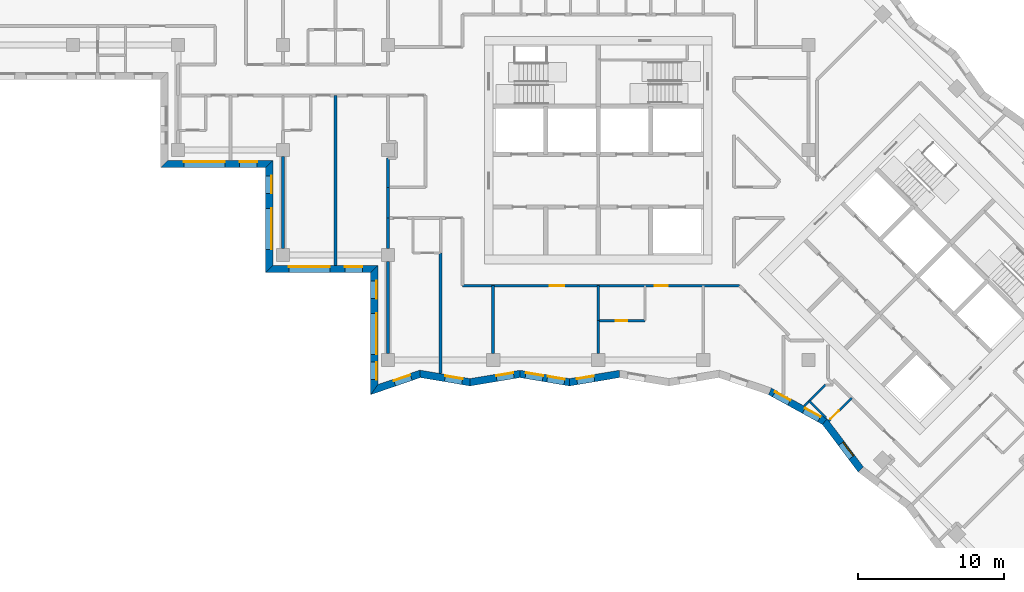
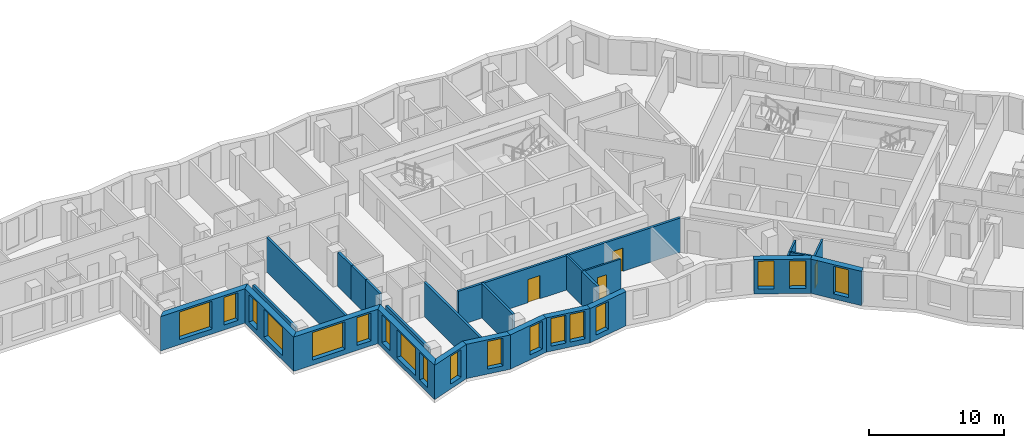
# One storey, part 2 of 12: 26 walls, 18 windows, 4 doors, 22 openings.
"""IFC4 building model written with IfcOpenShell, lengths in metres."""

from ifc_helpers import new_model, si_unit, direction, frame, frame_2d, origin, place, context, subcontext, project, spatial, polyline, rectangle, outline, extrude, material, layer, layer_set, type_object, element, fill, save


model = new_model("IFC4")

# Units and contexts
model_context = context("Model", 3, precision=1e-05, world=origin(), true_north=direction((0.0, 1.0)))
body_context = subcontext(model_context, "Body", "Model", "MODEL_VIEW")
ifc_project = project(units=[si_unit("LENGTHUNIT", "METRE"), si_unit("AREAUNIT", "SQUARE_METRE"), si_unit("VOLUMEUNIT", "CUBIC_METRE"), si_unit("PLANEANGLEUNIT", "RADIAN"), si_unit("MASSUNIT", "GRAM", prefix="KILO")], contexts=[model_context])

# Site, building, storey
site_placement = place(None, origin())
site = spatial("IfcSite", under=ifc_project, at=site_placement, CompositionType="ELEMENT")
building_placement = place(site_placement, origin())
building = spatial("IfcBuilding", under=site, at=building_placement, Name="Windrow Commons", CompositionType="ELEMENT")
storey_placement = place(building_placement, frame((0.0, 0.0, 166.0)))
storey = spatial("IfcBuildingStorey", under=building, at=storey_placement, Name="L45", CompositionType="ELEMENT", Elevation=166.0)

# Wall, openings, windows
ifc_material_1 = material(Name="Brick masonry, red clay brick", Category="masonry")
ifc_layer_1 = layer(ifc_material_1, 0.5)
ifc_layer_set_1 = layer_set([ifc_layer_1], Name="Brick facade wall 500")
wall_type_1 = type_object("IfcWallType", Name="Brick facade wall 500", PredefinedType="SOLIDWALL", material=ifc_layer_set_1)
wall_1_placement = place(storey_placement, frame((35.05, 56.65, 0.0), z_axis=(0.0, 0.0, 1.0), x_axis=(1.0, 0.0, 0.0)))
wall_1 = element("IfcWall", 1, at=wall_1_placement, inside=storey, type_object=wall_type_1, Name="Brick facade wall L45 38", PredefinedType="SOLIDWALL", context=body_context, shape_type="SweptSolid", body=[
    extrude(outline(polyline([(-0.25, -0.25), (6.95, -0.25), (7.45, 0.25), (0.25, 0.25), (-0.25, -0.25)])), origin(), (0.0, 0.0, 1.0), 3.1),
])
opening_1_placement = place(wall_1_placement, frame((1.35, 0.0, 0.45)))
opening_1 = element("IfcOpeningElement", 2, at=opening_1_placement, cuts=wall_1, Name="Opening W1U", PredefinedType="OPENING", context=body_context, shape_type="SweptSolid", body=[
    extrude(rectangle(XDim=2.8, YDim=2.5, at=frame_2d((1.4, 1.25))), frame((0.0, 0.26, 0.0), z_axis=(0.0, -1.0, 0.0), x_axis=(1.0, 0.0, 0.0)), (0.0, 0.0, 1.0), 0.52),
])
opening_2_placement = place(wall_1_placement, frame((5.175, 0.0, 0.45)))
opening_2 = element("IfcOpeningElement", 3, at=opening_2_placement, cuts=wall_1, Name="Opening W7E", PredefinedType="OPENING", context=body_context, shape_type="SweptSolid", body=[
    extrude(rectangle(XDim=1.2, YDim=2.5, at=frame_2d((0.6, 1.25))), frame((0.0, 0.26, 0.0), z_axis=(0.0, -1.0, 0.0), x_axis=(1.0, 0.0, 0.0)), (0.0, 0.0, 1.0), 0.52),
])
ifc_material_2 = material(Name="Clear float glass in anodised aluminium frame", Category="aluminium")
window_type_1 = type_object("IfcWindowType", Name="Window W1U bedroom 2800x2500", PartitioningType="SINGLE_PANEL", PredefinedType="WINDOW", material=ifc_material_2)
window_1_placement = place(opening_1_placement, origin())
window_1 = element("IfcWindow", 4, at=window_1_placement, inside=storey, type_object=window_type_1, Name="Window L45 38.1", OverallHeight=2.5, OverallWidth=2.8, PartitioningType="SINGLE_PANEL", PredefinedType="WINDOW", context=body_context, shape_type="SweptSolid", body=[
    extrude(rectangle(XDim=2.8, YDim=2.5, at=frame_2d((1.4, 1.25))), frame((0.0, 0.18, 0.0), z_axis=(0.0, -1.0, 0.0), x_axis=(1.0, 0.0, 0.0)), (0.0, 0.0, 1.0), 0.06),
])
fill(opening_1, window_1)
ifc_material_3 = material(Name="Clear float glass in anodised aluminium frame", Category="aluminium")
window_type_2 = type_object("IfcWindowType", Name="Window W7 notch 1200x2500", PartitioningType="SINGLE_PANEL", PredefinedType="WINDOW", material=ifc_material_3)
window_2_placement = place(opening_2_placement, origin())
window_2 = element("IfcWindow", 5, at=window_2_placement, inside=storey, type_object=window_type_2, Name="Window L45 38.2", OverallHeight=2.5, OverallWidth=1.2, PartitioningType="SINGLE_PANEL", PredefinedType="WINDOW", context=body_context, shape_type="SweptSolid", body=[
    extrude(rectangle(XDim=1.2, YDim=2.5, at=frame_2d((0.6, 1.25))), frame((0.0, 0.18, 0.0), z_axis=(0.0, -1.0, 0.0), x_axis=(1.0, 0.0, 0.0)), (0.0, 0.0, 1.0), 0.06),
])
fill(opening_2, window_2)

wall_2_placement = place(storey_placement, frame((42.25, 56.65, 0.0), z_axis=(0.0, 0.0, 1.0), x_axis=(0.0, -1.0, 0.0)))
wall_2 = element("IfcWall", 6, at=wall_2_placement, inside=storey, type_object=wall_type_1, Name="Brick facade wall L45 39", PredefinedType="SOLIDWALL", context=body_context, shape_type="SweptSolid", body=[
    extrude(outline(polyline([(0.25, -0.25), (7.45, -0.25), (6.95, 0.25), (-0.25, 0.25), (0.25, -0.25)])), origin(), (0.0, 0.0, 1.0), 3.1),
])
opening_3_placement = place(wall_2_placement, frame((3.05, 0.0, 0.45)))
opening_3 = element("IfcOpeningElement", 7, at=opening_3_placement, cuts=wall_2, Name="Opening W1U", PredefinedType="OPENING", context=body_context, shape_type="SweptSolid", body=[
    extrude(rectangle(XDim=2.8, YDim=2.5, at=frame_2d((1.4, 1.25))), frame((0.0, 0.26, 0.0), z_axis=(0.0, -1.0, 0.0), x_axis=(1.0, 0.0, 0.0)), (0.0, 0.0, 1.0), 0.52),
])
opening_4_placement = place(wall_2_placement, frame((0.825, 0.0, 0.45)))
opening_4 = element("IfcOpeningElement", 8, at=opening_4_placement, cuts=wall_2, Name="Opening W7E", PredefinedType="OPENING", context=body_context, shape_type="SweptSolid", body=[
    extrude(rectangle(XDim=1.2, YDim=2.5, at=frame_2d((0.6, 1.25))), frame((0.0, 0.26, 0.0), z_axis=(0.0, -1.0, 0.0), x_axis=(1.0, 0.0, 0.0)), (0.0, 0.0, 1.0), 0.52),
])
window_3_placement = place(opening_3_placement, origin())
window_3 = element("IfcWindow", 9, at=window_3_placement, inside=storey, type_object=window_type_1, Name="Window L45 39.1", OverallHeight=2.5, OverallWidth=2.8, PartitioningType="SINGLE_PANEL", PredefinedType="WINDOW", context=body_context, shape_type="SweptSolid", body=[
    extrude(rectangle(XDim=2.8, YDim=2.5, at=frame_2d((1.4, 1.25))), frame((0.0, 0.18, 0.0), z_axis=(0.0, -1.0, 0.0), x_axis=(1.0, 0.0, 0.0)), (0.0, 0.0, 1.0), 0.06),
])
fill(opening_3, window_3)
window_4_placement = place(opening_4_placement, origin())
window_4 = element("IfcWindow", 10, at=window_4_placement, inside=storey, type_object=window_type_2, Name="Window L45 39.2", OverallHeight=2.5, OverallWidth=1.2, PartitioningType="SINGLE_PANEL", PredefinedType="WINDOW", context=body_context, shape_type="SweptSolid", body=[
    extrude(rectangle(XDim=1.2, YDim=2.5, at=frame_2d((0.6, 1.25))), frame((0.0, 0.18, 0.0), z_axis=(0.0, -1.0, 0.0), x_axis=(1.0, 0.0, 0.0)), (0.0, 0.0, 1.0), 0.06),
])
fill(opening_4, window_4)

wall_3_placement = place(storey_placement, frame((42.25, 49.45, 0.0), z_axis=(0.0, 0.0, 1.0), x_axis=(1.0, 0.0, 0.0)))
wall_3 = element("IfcWall", 11, at=wall_3_placement, inside=storey, type_object=wall_type_1, Name="Brick facade wall L45 40", PredefinedType="SOLIDWALL", context=body_context, shape_type="SweptSolid", body=[
    extrude(outline(polyline([(-0.25, -0.25), (6.95, -0.25), (7.45, 0.25), (0.25, 0.25), (-0.25, -0.25)])), origin(), (0.0, 0.0, 1.0), 3.1),
])
opening_5_placement = place(wall_3_placement, frame((1.35, 0.0, 0.45)))
opening_5 = element("IfcOpeningElement", 12, at=opening_5_placement, cuts=wall_3, Name="Opening W1U", PredefinedType="OPENING", context=body_context, shape_type="SweptSolid", body=[
    extrude(rectangle(XDim=2.8, YDim=2.5, at=frame_2d((1.4, 1.25))), frame((0.0, 0.26, 0.0), z_axis=(0.0, -1.0, 0.0), x_axis=(1.0, 0.0, 0.0)), (0.0, 0.0, 1.0), 0.52),
])
opening_6_placement = place(wall_3_placement, frame((5.175, 0.0, 0.45)))
opening_6 = element("IfcOpeningElement", 13, at=opening_6_placement, cuts=wall_3, Name="Opening W7E", PredefinedType="OPENING", context=body_context, shape_type="SweptSolid", body=[
    extrude(rectangle(XDim=1.2, YDim=2.5, at=frame_2d((0.6, 1.25))), frame((0.0, 0.26, 0.0), z_axis=(0.0, -1.0, 0.0), x_axis=(1.0, 0.0, 0.0)), (0.0, 0.0, 1.0), 0.52),
])
window_5_placement = place(opening_5_placement, origin())
window_5 = element("IfcWindow", 14, at=window_5_placement, inside=storey, type_object=window_type_1, Name="Window L45 40.1", OverallHeight=2.5, OverallWidth=2.8, PartitioningType="SINGLE_PANEL", PredefinedType="WINDOW", context=body_context, shape_type="SweptSolid", body=[
    extrude(rectangle(XDim=2.8, YDim=2.5, at=frame_2d((1.4, 1.25))), frame((0.0, 0.18, 0.0), z_axis=(0.0, -1.0, 0.0), x_axis=(1.0, 0.0, 0.0)), (0.0, 0.0, 1.0), 0.06),
])
fill(opening_5, window_5)
window_6_placement = place(opening_6_placement, origin())
window_6 = element("IfcWindow", 15, at=window_6_placement, inside=storey, type_object=window_type_2, Name="Window L45 40.2", OverallHeight=2.5, OverallWidth=1.2, PartitioningType="SINGLE_PANEL", PredefinedType="WINDOW", context=body_context, shape_type="SweptSolid", body=[
    extrude(rectangle(XDim=1.2, YDim=2.5, at=frame_2d((0.6, 1.25))), frame((0.0, 0.18, 0.0), z_axis=(0.0, -1.0, 0.0), x_axis=(1.0, 0.0, 0.0)), (0.0, 0.0, 1.0), 0.06),
])
fill(opening_6, window_6)

wall_4_placement = place(storey_placement, frame((49.45, 49.45, 0.0), z_axis=(0.0, 0.0, 1.0), x_axis=(0.0, -1.0, 0.0)))
wall_4 = element("IfcWall", 16, at=wall_4_placement, inside=storey, type_object=wall_type_1, Name="Brick facade wall L45 41", PredefinedType="SOLIDWALL", context=body_context, shape_type="SweptSolid", body=[
    extrude(outline(polyline([(0.25, -0.25), (8.622, -0.25), (7.9214, 0.25), (-0.25, 0.25), (0.25, -0.25)])), origin(), (0.0, 0.0, 1.0), 3.1),
])
opening_7_placement = place(wall_4_placement, frame((3.05, 0.0, 0.45)))
opening_7 = element("IfcOpeningElement", 17, at=opening_7_placement, cuts=wall_4, Name="Opening W1U", PredefinedType="OPENING", context=body_context, shape_type="SweptSolid", body=[
    extrude(rectangle(XDim=2.8, YDim=2.5, at=frame_2d((1.4, 1.25))), frame((0.0, 0.26, 0.0), z_axis=(0.0, -1.0, 0.0), x_axis=(1.0, 0.0, 0.0)), (0.0, 0.0, 1.0), 0.52),
])
opening_8_placement = place(wall_4_placement, frame((0.825, 0.0, 0.45)))
opening_8 = element("IfcOpeningElement", 18, at=opening_8_placement, cuts=wall_4, Name="Opening W7E", PredefinedType="OPENING", context=body_context, shape_type="SweptSolid", body=[
    extrude(rectangle(XDim=1.2, YDim=2.5, at=frame_2d((0.6, 1.25))), frame((0.0, 0.26, 0.0), z_axis=(0.0, -1.0, 0.0), x_axis=(1.0, 0.0, 0.0)), (0.0, 0.0, 1.0), 0.52),
])
opening_9_placement = place(wall_4_placement, frame((6.3857, 0.0, 0.45)))
opening_9 = element("IfcOpeningElement", 19, at=opening_9_placement, cuts=wall_4, Name="Opening W7E", PredefinedType="OPENING", context=body_context, shape_type="SweptSolid", body=[
    extrude(rectangle(XDim=1.2, YDim=2.5, at=frame_2d((0.6, 1.25))), frame((0.0, 0.26, 0.0), z_axis=(0.0, -1.0, 0.0), x_axis=(1.0, 0.0, 0.0)), (0.0, 0.0, 1.0), 0.52),
])
window_7_placement = place(opening_7_placement, origin())
window_7 = element("IfcWindow", 20, at=window_7_placement, inside=storey, type_object=window_type_1, Name="Window L45 41.1", OverallHeight=2.5, OverallWidth=2.8, PartitioningType="SINGLE_PANEL", PredefinedType="WINDOW", context=body_context, shape_type="SweptSolid", body=[
    extrude(rectangle(XDim=2.8, YDim=2.5, at=frame_2d((1.4, 1.25))), frame((0.0, 0.18, 0.0), z_axis=(0.0, -1.0, 0.0), x_axis=(1.0, 0.0, 0.0)), (0.0, 0.0, 1.0), 0.06),
])
fill(opening_7, window_7)
window_8_placement = place(opening_8_placement, origin())
window_8 = element("IfcWindow", 21, at=window_8_placement, inside=storey, type_object=window_type_2, Name="Window L45 41.2", OverallHeight=2.5, OverallWidth=1.2, PartitioningType="SINGLE_PANEL", PredefinedType="WINDOW", context=body_context, shape_type="SweptSolid", body=[
    extrude(rectangle(XDim=1.2, YDim=2.5, at=frame_2d((0.6, 1.25))), frame((0.0, 0.18, 0.0), z_axis=(0.0, -1.0, 0.0), x_axis=(1.0, 0.0, 0.0)), (0.0, 0.0, 1.0), 0.06),
])
fill(opening_8, window_8)
window_9_placement = place(opening_9_placement, origin())
window_9 = element("IfcWindow", 22, at=window_9_placement, inside=storey, type_object=window_type_2, Name="Window L45 41.3", OverallHeight=2.5, OverallWidth=1.2, PartitioningType="SINGLE_PANEL", PredefinedType="WINDOW", context=body_context, shape_type="SweptSolid", body=[
    extrude(rectangle(XDim=1.2, YDim=2.5, at=frame_2d((0.6, 1.25))), frame((0.0, 0.18, 0.0), z_axis=(0.0, -1.0, 0.0), x_axis=(1.0, 0.0, 0.0)), (0.0, 0.0, 1.0), 0.06),
])
fill(opening_9, window_9)

# Wall, opening, window
wall_5_placement = place(storey_placement, frame((49.45, 41.1783, 0.0), z_axis=(0.0, 0.0, 1.0), x_axis=(0.9456634328, 0.3251471543, 0.0)))
wall_5 = element("IfcWall", 23, at=wall_5_placement, inside=storey, type_object=wall_type_1, Name="Brick facade wall L45 42", PredefinedType="SOLIDWALL", context=body_context, shape_type="SweptSolid", body=[
    extrude(outline(polyline([(-0.3503, -0.25), (3.2543, -0.25), (3.3813, 0.25), (0.3503, 0.25), (-0.3503, -0.25)])), origin(), (0.0, 0.0, 1.0), 3.1),
])
opening_10_placement = place(wall_5_placement, frame((1.4612, 0.0, 0.45)))
opening_10 = element("IfcOpeningElement", 24, at=opening_10_placement, cuts=wall_5, Name="Opening W7E", PredefinedType="OPENING", context=body_context, shape_type="SweptSolid", body=[
    extrude(rectangle(XDim=1.2, YDim=2.5, at=frame_2d((0.6, 1.25))), frame((0.0, 0.26, 0.0), z_axis=(0.0, -1.0, 0.0), x_axis=(1.0, 0.0, 0.0)), (0.0, 0.0, 1.0), 0.52),
])
window_10_placement = place(opening_10_placement, origin())
window_10 = element("IfcWindow", 25, at=window_10_placement, inside=storey, type_object=window_type_2, Name="Window L45 42.1", OverallHeight=2.5, OverallWidth=1.2, PartitioningType="SINGLE_PANEL", PredefinedType="WINDOW", context=body_context, shape_type="SweptSolid", body=[
    extrude(rectangle(XDim=1.2, YDim=2.5, at=frame_2d((0.6, 1.25))), frame((0.0, 0.18, 0.0), z_axis=(0.0, -1.0, 0.0), x_axis=(1.0, 0.0, 0.0)), (0.0, 0.0, 1.0), 0.06),
])
fill(opening_10, window_10)

wall_6_placement = place(storey_placement, frame((52.5876, 42.2571, 0.0), z_axis=(0.0, 0.0, 1.0), x_axis=(0.9862099159, -0.16549925, 0.0)))
wall_6 = element("IfcWall", 26, at=wall_6_placement, inside=storey, type_object=wall_type_1, Name="Brick facade wall L45 43", PredefinedType="SOLIDWALL", context=body_context, shape_type="SweptSolid", body=[
    extrude(outline(polyline([(0.0635, -0.25), (3.52, -0.25), (3.4361, 0.25), (-0.0635, 0.25), (0.0635, -0.25)])), origin(), (0.0, 0.0, 1.0), 3.1),
])
opening_11_placement = place(wall_6_placement, frame((1.7341, 0.0, 0.45)))
opening_11 = element("IfcOpeningElement", 27, at=opening_11_placement, cuts=wall_6, Name="Opening W7E", PredefinedType="OPENING", context=body_context, shape_type="SweptSolid", body=[
    extrude(rectangle(XDim=1.2, YDim=2.5, at=frame_2d((0.6, 1.25))), frame((0.0, 0.26, 0.0), z_axis=(0.0, -1.0, 0.0), x_axis=(1.0, 0.0, 0.0)), (0.0, 0.0, 1.0), 0.52),
])
window_11_placement = place(opening_11_placement, origin())
window_11 = element("IfcWindow", 28, at=window_11_placement, inside=storey, type_object=window_type_2, Name="Window L45 43.1", OverallHeight=2.5, OverallWidth=1.2, PartitioningType="SINGLE_PANEL", PredefinedType="WINDOW", context=body_context, shape_type="SweptSolid", body=[
    extrude(rectangle(XDim=1.2, YDim=2.5, at=frame_2d((0.6, 1.25))), frame((0.0, 0.18, 0.0), z_axis=(0.0, -1.0, 0.0), x_axis=(1.0, 0.0, 0.0)), (0.0, 0.0, 1.0), 0.06),
])
fill(opening_11, window_11)

wall_7_placement = place(storey_placement, frame((56.0176, 41.6815, 0.0), z_axis=(0.0, 0.0, 1.0), x_axis=(0.9862119159, 0.1654873316, 0.0)))
wall_7 = element("IfcWall", 29, at=wall_7_placement, inside=storey, type_object=wall_type_1, Name="Brick facade wall L45 44", PredefinedType="SOLIDWALL", context=body_context, shape_type="SweptSolid", body=[
    extrude(outline(polyline([(-0.042, -0.25), (3.4145, -0.25), (3.4984, 0.25), (0.042, 0.25), (-0.042, -0.25)])), origin(), (0.0, 0.0, 1.0), 3.1),
])
opening_12_placement = place(wall_7_placement, frame((1.8305, 0.0, 0.45)))
opening_12 = element("IfcOpeningElement", 30, at=opening_12_placement, cuts=wall_7, Name="Opening W7E", PredefinedType="OPENING", context=body_context, shape_type="SweptSolid", body=[
    extrude(rectangle(XDim=1.2, YDim=2.5, at=frame_2d((0.6, 1.25))), frame((0.0, 0.26, 0.0), z_axis=(0.0, -1.0, 0.0), x_axis=(1.0, 0.0, 0.0)), (0.0, 0.0, 1.0), 0.52),
])
window_12_placement = place(opening_12_placement, origin())
window_12 = element("IfcWindow", 31, at=window_12_placement, inside=storey, type_object=window_type_2, Name="Window L45 44.1", OverallHeight=2.5, OverallWidth=1.2, PartitioningType="SINGLE_PANEL", PredefinedType="WINDOW", context=body_context, shape_type="SweptSolid", body=[
    extrude(rectangle(XDim=1.2, YDim=2.5, at=frame_2d((0.6, 1.25))), frame((0.0, 0.18, 0.0), z_axis=(0.0, -1.0, 0.0), x_axis=(1.0, 0.0, 0.0)), (0.0, 0.0, 1.0), 0.06),
])
fill(opening_12, window_12)

# Wall, openings, windows
wall_8_placement = place(storey_placement, frame((59.4264, 42.2535, 0.0), z_axis=(0.0, 0.0, 1.0), x_axis=(0.9862119159, -0.1654873316, 0.0)))
wall_8 = element("IfcWall", 32, at=wall_8_placement, inside=storey, type_object=wall_type_1, Name="Brick facade wall L45 45", PredefinedType="SOLIDWALL", context=body_context, shape_type="SweptSolid", body=[
    extrude(outline(polyline([(0.042, -0.25), (3.4984, -0.25), (3.4145, 0.25), (-0.042, 0.25), (0.042, -0.25)])), origin(), (0.0, 0.0, 1.0), 3.1),
])
opening_13_placement = place(wall_8_placement, frame((0.3992, 0.0, 0.45)))
opening_13 = element("IfcOpeningElement", 33, at=opening_13_placement, cuts=wall_8, Name="Opening W7E", PredefinedType="OPENING", context=body_context, shape_type="SweptSolid", body=[
    extrude(rectangle(XDim=1.2, YDim=2.5, at=frame_2d((0.6, 1.25))), frame((0.0, 0.26, 0.0), z_axis=(0.0, -1.0, 0.0), x_axis=(1.0, 0.0, 0.0)), (0.0, 0.0, 1.0), 0.52),
])
opening_14_placement = place(wall_8_placement, frame((1.9064, 0.0, 0.45)))
opening_14 = element("IfcOpeningElement", 34, at=opening_14_placement, cuts=wall_8, Name="Opening W7E", PredefinedType="OPENING", context=body_context, shape_type="SweptSolid", body=[
    extrude(rectangle(XDim=1.2, YDim=2.5, at=frame_2d((0.6, 1.25))), frame((0.0, 0.26, 0.0), z_axis=(0.0, -1.0, 0.0), x_axis=(1.0, 0.0, 0.0)), (0.0, 0.0, 1.0), 0.52),
])
window_13_placement = place(opening_13_placement, origin())
window_13 = element("IfcWindow", 35, at=window_13_placement, inside=storey, type_object=window_type_2, Name="Window L45 45.1", OverallHeight=2.5, OverallWidth=1.2, PartitioningType="SINGLE_PANEL", PredefinedType="WINDOW", context=body_context, shape_type="SweptSolid", body=[
    extrude(rectangle(XDim=1.2, YDim=2.5, at=frame_2d((0.6, 1.25))), frame((0.0, 0.18, 0.0), z_axis=(0.0, -1.0, 0.0), x_axis=(1.0, 0.0, 0.0)), (0.0, 0.0, 1.0), 0.06),
])
fill(opening_13, window_13)
window_14_placement = place(opening_14_placement, origin())
window_14 = element("IfcWindow", 36, at=window_14_placement, inside=storey, type_object=window_type_2, Name="Window L45 45.2", OverallHeight=2.5, OverallWidth=1.2, PartitioningType="SINGLE_PANEL", PredefinedType="WINDOW", context=body_context, shape_type="SweptSolid", body=[
    extrude(rectangle(XDim=1.2, YDim=2.5, at=frame_2d((0.6, 1.25))), frame((0.0, 0.18, 0.0), z_axis=(0.0, -1.0, 0.0), x_axis=(1.0, 0.0, 0.0)), (0.0, 0.0, 1.0), 0.06),
])
fill(opening_14, window_14)

# Wall, opening, window
wall_9_placement = place(storey_placement, frame((62.8352, 41.6815, 0.0), z_axis=(0.0, 0.0, 1.0), x_axis=(0.9862119159, 0.1654873316, 0.0)))
wall_9 = element("IfcWall", 37, at=wall_9_placement, inside=storey, type_object=wall_type_1, Name="Brick facade wall L45 46", PredefinedType="SOLIDWALL", context=body_context, shape_type="SweptSolid", body=[
    extrude(outline(polyline([(-0.042, -0.25), (3.4145, -0.25), (3.4984, 0.25), (0.042, 0.25), (-0.042, -0.25)])), origin(), (0.0, 0.0, 1.0), 3.1),
])
opening_15_placement = place(wall_9_placement, frame((0.5171, 0.0, 0.45)))
opening_15 = element("IfcOpeningElement", 38, at=opening_15_placement, cuts=wall_9, Name="Opening W7E", PredefinedType="OPENING", context=body_context, shape_type="SweptSolid", body=[
    extrude(rectangle(XDim=1.2, YDim=2.5, at=frame_2d((0.6, 1.25))), frame((0.0, 0.26, 0.0), z_axis=(0.0, -1.0, 0.0), x_axis=(1.0, 0.0, 0.0)), (0.0, 0.0, 1.0), 0.52),
])
window_15_placement = place(opening_15_placement, origin())
window_15 = element("IfcWindow", 39, at=window_15_placement, inside=storey, type_object=window_type_2, Name="Window L45 46.1", OverallHeight=2.5, OverallWidth=1.2, PartitioningType="SINGLE_PANEL", PredefinedType="WINDOW", context=body_context, shape_type="SweptSolid", body=[
    extrude(rectangle(XDim=1.2, YDim=2.5, at=frame_2d((0.6, 1.25))), frame((0.0, 0.18, 0.0), z_axis=(0.0, -1.0, 0.0), x_axis=(1.0, 0.0, 0.0)), (0.0, 0.0, 1.0), 0.06),
])
fill(opening_15, window_15)

# Wall, openings, windows
wall_10_placement = place(storey_placement, frame((76.5722, 41.0574, 0.0), z_axis=(0.0, 0.0, 1.0), x_axis=(0.8758607795, -0.4825638765, 0.0)))
wall_10 = element("IfcWall", 40, at=wall_10_placement, inside=storey, type_object=wall_type_1, Name="Brick facade wall L45 50", PredefinedType="SOLIDWALL", context=body_context, shape_type="SweptSolid", body=[
    extrude(outline(polyline([(0.0216, -0.25), (4.2359, -0.25), (4.343, 0.25), (-0.0216, 0.25), (0.0216, -0.25)])), origin(), (0.0, 0.0, 1.0), 3.1),
])
opening_16_placement = place(wall_10_placement, frame((0.3216, 0.0, 0.45)))
opening_16 = element("IfcOpeningElement", 41, at=opening_16_placement, cuts=wall_10, Name="Opening W7E", PredefinedType="OPENING", context=body_context, shape_type="SweptSolid", body=[
    extrude(rectangle(XDim=1.2, YDim=2.5, at=frame_2d((0.6, 1.25))), frame((0.0, 0.26, 0.0), z_axis=(0.0, -1.0, 0.0), x_axis=(1.0, 0.0, 0.0)), (0.0, 0.0, 1.0), 0.52),
])
opening_17_placement = place(wall_10_placement, frame((2.6664, 0.0, 0.45)))
opening_17 = element("IfcOpeningElement", 42, at=opening_17_placement, cuts=wall_10, Name="Opening W7E", PredefinedType="OPENING", context=body_context, shape_type="SweptSolid", body=[
    extrude(rectangle(XDim=1.2, YDim=2.5, at=frame_2d((0.6, 1.25))), frame((0.0, 0.26, 0.0), z_axis=(0.0, -1.0, 0.0), x_axis=(1.0, 0.0, 0.0)), (0.0, 0.0, 1.0), 0.52),
])
window_16_placement = place(opening_16_placement, origin())
window_16 = element("IfcWindow", 43, at=window_16_placement, inside=storey, type_object=window_type_2, Name="Window L45 50.1", OverallHeight=2.5, OverallWidth=1.2, PartitioningType="SINGLE_PANEL", PredefinedType="WINDOW", context=body_context, shape_type="SweptSolid", body=[
    extrude(rectangle(XDim=1.2, YDim=2.5, at=frame_2d((0.6, 1.25))), frame((0.0, 0.17, 0.0), z_axis=(0.0, -1.0, 0.0), x_axis=(1.0, 0.0, 0.0)), (0.0, 0.0, 1.0), 0.06),
])
fill(opening_16, window_16)
window_17_placement = place(opening_17_placement, origin())
window_17 = element("IfcWindow", 44, at=window_17_placement, inside=storey, type_object=window_type_2, Name="Window L45 50.2", OverallHeight=2.5, OverallWidth=1.2, PartitioningType="SINGLE_PANEL", PredefinedType="WINDOW", context=body_context, shape_type="SweptSolid", body=[
    extrude(rectangle(XDim=1.2, YDim=2.5, at=frame_2d((0.6, 1.25))), frame((0.0, 0.18, 0.0), z_axis=(0.0, -1.0, 0.0), x_axis=(1.0, 0.0, 0.0)), (0.0, 0.0, 1.0), 0.06),
])
fill(opening_17, window_17)

# Wall, opening, window
wall_11_placement = place(storey_placement, frame((80.3291, 38.9875, 0.0), z_axis=(0.0, 0.0, 1.0), x_axis=(0.601211036, -0.7990902891, 0.0)))
wall_11 = element("IfcWall", 45, at=wall_11_placement, inside=storey, type_object=wall_type_1, Name="Brick facade wall L45 51", PredefinedType="SOLIDWALL", context=body_context, shape_type="SweptSolid", body=[
    extrude(outline(polyline([(0.0536, -0.25), (4.1418, -0.25), (4.0712, 0.25), (-0.0536, 0.25), (0.0536, -0.25)])), origin(), (0.0, 0.0, 1.0), 3.1),
])
opening_18_placement = place(wall_11_placement, frame((1.8699, 0.0, 0.45)))
opening_18 = element("IfcOpeningElement", 46, at=opening_18_placement, cuts=wall_11, Name="Opening W7E", PredefinedType="OPENING", context=body_context, shape_type="SweptSolid", body=[
    extrude(rectangle(XDim=1.2, YDim=2.5, at=frame_2d((0.6, 1.25))), frame((0.0, 0.26, 0.0), z_axis=(0.0, -1.0, 0.0), x_axis=(1.0, 0.0, 0.0)), (0.0, 0.0, 1.0), 0.52),
])
window_18_placement = place(opening_18_placement, origin())
window_18 = element("IfcWindow", 47, at=window_18_placement, inside=storey, type_object=window_type_2, Name="Window L45 51.1", OverallHeight=2.5, OverallWidth=1.2, PartitioningType="SINGLE_PANEL", PredefinedType="WINDOW", context=body_context, shape_type="SweptSolid", body=[
    extrude(rectangle(XDim=1.2, YDim=2.5, at=frame_2d((0.6, 1.25))), frame((0.0, 0.18, 0.0), z_axis=(0.0, -1.0, 0.0), x_axis=(1.0, 0.0, 0.0)), (0.0, 0.0, 1.0), 0.06),
])
fill(opening_18, window_18)

# Wall, openings, doors
ifc_material_4 = material(Name="Blockwork partition", Category="masonry")
ifc_layer_2 = layer(ifc_material_4, 0.2)
ifc_layer_set_2 = layer_set([ifc_layer_2], Name="IW-CORRIDOR-200")
wall_type_2 = type_object("IfcWallType", Name="IW-CORRIDOR-200", PredefinedType="PARTITIONING", material=ifc_layer_set_2)
wall_12_placement = place(storey_placement, frame((55.5, 48.3, 0.0), z_axis=(0.0, 0.0, 1.0), x_axis=(1.0, 0.0, 0.0)))
wall_12 = element("IfcWall", 48, at=wall_12_placement, inside=storey, type_object=wall_type_2, Name="W-L45-W001", PredefinedType="PARTITIONING", context=body_context, shape_type="SweptSolid", body=[
    extrude(rectangle(XDim=18.974, YDim=0.2, at=frame_2d((9.487, 0.0))), origin(), (0.0, 0.0, 1.0), 3.1),
])
opening_19_placement = place(wall_12_placement, frame((5.9625, 0.0, 0.0)))
opening_19 = element("IfcOpeningElement", 49, at=opening_19_placement, cuts=wall_12, Name="Opening D310F", PredefinedType="OPENING", context=body_context, shape_type="SweptSolid", body=[
    extrude(rectangle(XDim=1.0, YDim=2.1, at=frame_2d((0.5, 1.05))), frame((0.0, 0.11, 0.0), z_axis=(0.0, -1.0, 0.0), x_axis=(1.0, 0.0, 0.0)), (0.0, 0.0, 1.0), 0.22),
])
opening_20_placement = place(wall_12_placement, frame((13.1607, 0.0, 0.0)))
opening_20 = element("IfcOpeningElement", 50, at=opening_20_placement, cuts=wall_12, Name="Opening D109F", PredefinedType="OPENING", context=body_context, shape_type="SweptSolid", body=[
    extrude(rectangle(XDim=0.9, YDim=2.1, at=frame_2d((0.45, 1.05))), frame((0.0, 0.11, 0.0), z_axis=(0.0, -1.0, 0.0), x_axis=(1.0, 0.0, 0.0)), (0.0, 0.0, 1.0), 0.22),
])
ifc_material_5 = material(Name="Timber door leaf", Category="wood")
door_type_1 = type_object("IfcDoorType", Name="DT-AMENITY-1000", OperationType="SINGLE_SWING_LEFT", PredefinedType="DOOR", material=ifc_material_5)
door_1_placement = place(opening_19_placement, origin())
door_1 = element("IfcDoor", 51, at=door_1_placement, inside=storey, type_object=door_type_1, Name="D-L45-D036", OperationType="SINGLE_SWING_LEFT", OverallHeight=2.1, OverallWidth=1.0, PredefinedType="DOOR", context=body_context, shape_type="SweptSolid", body=[
    extrude(rectangle(XDim=1.0, YDim=2.1, at=frame_2d((0.5, 1.05))), frame((0.0, 0.025, 0.0), z_axis=(0.0, -1.0, 0.0), x_axis=(1.0, 0.0, 0.0)), (0.0, 0.0, 1.0), 0.05),
])
fill(opening_19, door_1)
ifc_material_6 = material(Name="Timber door leaf", Category="wood")
door_type_2 = type_object("IfcDoorType", Name="DT-BEDROOM-900", OperationType="SINGLE_SWING_LEFT", PredefinedType="DOOR", material=ifc_material_6)
door_2_placement = place(opening_20_placement, origin())
door_2 = element("IfcDoor", 52, at=door_2_placement, inside=storey, type_object=door_type_2, Name="D-L45-D037", OperationType="SINGLE_SWING_LEFT", OverallHeight=2.1, OverallWidth=0.9, PredefinedType="DOOR", context=body_context, shape_type="SweptSolid", body=[
    extrude(rectangle(XDim=0.9, YDim=2.1, at=frame_2d((0.45, 1.05))), frame((0.0, 0.025, 0.0), z_axis=(0.0, -1.0, 0.0), x_axis=(1.0, 0.0, 0.0)), (0.0, 0.0, 1.0), 0.05),
])
fill(opening_20, door_2)

# Wall
wall_13_placement = place(storey_placement, frame((50.4, 52.95, 0.0), z_axis=(0.0, 0.0, 1.0), x_axis=(0.0, 1.0, 0.0)))
element("IfcWall", 53, at=wall_13_placement, inside=storey, type_object=wall_type_2, Name="W-L45-W112", PredefinedType="PARTITIONING", context=body_context, shape_type="SweptSolid", body=[
    extrude(rectangle(XDim=2.1, YDim=0.2, at=frame_2d((1.05, 0.0))), origin(), (0.0, 0.0, 1.0), 3.1),
])

# Wall, opening, door
ifc_material_7 = material(Name="Blockwork partition", Category="masonry")
ifc_layer_3 = layer(ifc_material_7, 0.15)
ifc_layer_set_3 = layer_set([ifc_layer_3], Name="IW-ENSUITE-150")
wall_type_3 = type_object("IfcWallType", Name="IW-ENSUITE-150", PredefinedType="PARTITIONING", material=ifc_layer_set_3)
wall_14_placement = place(storey_placement, frame((64.8, 45.9, 0.0), z_axis=(0.0, 0.0, 1.0), x_axis=(1.0, 0.0, 0.0)))
wall_14 = element("IfcWall", 54, at=wall_14_placement, inside=storey, type_object=wall_type_3, Name="W-L45-W057", PredefinedType="PARTITIONING", context=body_context, shape_type="SweptSolid", body=[
    extrude(rectangle(XDim=3.2, YDim=0.15, at=frame_2d((1.6, 0.0))), origin(), (0.0, 0.0, 1.0), 3.1),
])
opening_21_placement = place(wall_14_placement, frame((1.1958, 0.0, 0.0)))
opening_21 = element("IfcOpeningElement", 55, at=opening_21_placement, cuts=wall_14, Name="Opening D208N", PredefinedType="OPENING", context=body_context, shape_type="SweptSolid", body=[
    extrude(rectangle(XDim=0.8, YDim=2.1, at=frame_2d((0.4, 1.05))), frame((0.0, 0.085, 0.0), z_axis=(0.0, -1.0, 0.0), x_axis=(1.0, 0.0, 0.0)), (0.0, 0.0, 1.0), 0.17),
])
ifc_material_8 = material(Name="Timber door leaf", Category="wood")
door_type_3 = type_object("IfcDoorType", Name="DT-ENSUITE-800", OperationType="SINGLE_SWING_LEFT", PredefinedType="DOOR", material=ifc_material_8)
door_3_placement = place(opening_21_placement, origin())
door_3 = element("IfcDoor", 56, at=door_3_placement, inside=storey, type_object=door_type_3, Name="D-L45-D038", OperationType="SINGLE_SWING_RIGHT", OverallHeight=2.1, OverallWidth=0.8, PredefinedType="DOOR", context=body_context, shape_type="SweptSolid", body=[
    extrude(rectangle(XDim=0.8, YDim=2.1, at=frame_2d((0.4, 1.05))), frame((0.0, 0.025, 0.0), z_axis=(0.0, -1.0, 0.0), x_axis=(1.0, 0.0, 0.0)), (0.0, 0.0, 1.0), 0.05),
])
fill(opening_21, door_3)

# Wall
wall_15_placement = place(storey_placement, frame((64.8, 45.9, 0.0), z_axis=(0.0, 0.0, 1.0), x_axis=(0.0, 1.0, 0.0)))
element("IfcWall", 57, at=wall_15_placement, inside=storey, type_object=wall_type_3, Name="W-L45-W078", PredefinedType="PARTITIONING", context=body_context, shape_type="SweptSolid", body=[
    extrude(rectangle(XDim=2.4, YDim=0.15, at=frame_2d((1.2, 0.0))), origin(), (0.0, 0.0, 1.0), 3.1),
])

# Wall, opening, door
wall_16_placement = place(storey_placement, frame((80.603, 39.0393, 0.0), z_axis=(0.0, 0.0, 1.0), x_axis=(0.7071293598, 0.7070842018, 0.0)))
wall_16 = element("IfcWall", 58, at=wall_16_placement, inside=storey, type_object=wall_type_3, Name="W-L45-W109", PredefinedType="PARTITIONING", context=body_context, shape_type="SweptSolid", body=[
    extrude(rectangle(XDim=2.2144, YDim=0.15, at=frame_2d((1.1072, 0.0))), origin(), (0.0, 0.0, 1.0), 3.1),
])
opening_22_placement = place(wall_16_placement, frame((0.1775, 0.0, 0.0)))
opening_22 = element("IfcOpeningElement", 59, at=opening_22_placement, cuts=wall_16, Name="Opening D208N", PredefinedType="OPENING", context=body_context, shape_type="SweptSolid", body=[
    extrude(rectangle(XDim=0.8, YDim=2.1, at=frame_2d((0.4, 1.05))), frame((0.0, 0.085, 0.0), z_axis=(0.0, -1.0, 0.0), x_axis=(1.0, 0.0, 0.0)), (0.0, 0.0, 1.0), 0.17),
])
door_4_placement = place(opening_22_placement, origin())
door_4 = element("IfcDoor", 60, at=door_4_placement, inside=storey, type_object=door_type_3, Name="D-L45-D050", OperationType="SINGLE_SWING_RIGHT", OverallHeight=2.1, OverallWidth=0.8, PredefinedType="DOOR", context=body_context, shape_type="SweptSolid", body=[
    extrude(rectangle(XDim=0.8, YDim=2.1, at=frame_2d((0.4, 1.05))), frame((0.0, 0.025, 0.0), z_axis=(0.0, -1.0, 0.0), x_axis=(1.0, 0.0, 0.0)), (0.0, 0.0, 1.0), 0.05),
])
fill(opening_22, door_4)

# Walls
wall_17_placement = place(storey_placement, frame((78.9239, 40.0471, 0.0), z_axis=(0.0, 0.0, 1.0), x_axis=(0.7071067812, 0.7071067812, 0.0)))
element("IfcWall", 61, at=wall_17_placement, inside=storey, type_object=wall_type_3, Name="W-L45-W115", PredefinedType="PARTITIONING", context=body_context, shape_type="SweptSolid", body=[
    extrude(rectangle(XDim=2.0556, YDim=0.15, at=frame_2d((1.0278, 0.0))), origin(), (0.0, 0.0, 1.0), 3.1),
])
wall_18_placement = place(storey_placement, frame((79.2673, 40.3893, 0.0), z_axis=(0.0, 0.0, 1.0), x_axis=(0.7071375765, -0.7070759845, 0.0)))
element("IfcWall", 62, at=wall_18_placement, inside=storey, type_object=wall_type_3, Name="W-L45-W128", PredefinedType="PARTITIONING", context=body_context, shape_type="SweptSolid", body=[
    extrude(rectangle(XDim=1.6236, YDim=0.15, at=frame_2d((0.8118, 0.0))), origin(), (0.0, 0.0, 1.0), 3.1),
])
ifc_material_9 = material(Name="Blockwork partition", Category="masonry")
ifc_layer_4 = layer(ifc_material_9, 0.2)
ifc_layer_set_4 = layer_set([ifc_layer_4], Name="IW-PARTY-200")
wall_type_4 = type_object("IfcWallType", Name="IW-PARTY-200", PredefinedType="PARTITIONING", material=ifc_layer_set_4)
wall_19_placement = place(storey_placement, frame((46.8, 49.7, 0.0), z_axis=(0.0, 0.0, 1.0), x_axis=(0.0, 1.0, 0.0)))
element("IfcWall", 63, at=wall_19_placement, inside=storey, type_object=wall_type_4, Name="W-L45-W008", PredefinedType="PARTITIONING", context=body_context, shape_type="SweptSolid", body=[
    extrude(rectangle(XDim=11.65, YDim=0.2, at=frame_2d((5.825, 0.0))), origin(), (0.0, 0.0, 1.0), 3.1),
])
wall_20_placement = place(storey_placement, frame((54.0, 42.2735, 0.0), z_axis=(0.0, 0.0, 1.0), x_axis=(0.0, 1.0, 0.0)))
element("IfcWall", 64, at=wall_20_placement, inside=storey, type_object=wall_type_4, Name="W-L45-W013", PredefinedType="PARTITIONING", context=body_context, shape_type="SweptSolid", body=[
    extrude(rectangle(XDim=8.2765, YDim=0.2, at=frame_2d((4.1383, 0.0))), origin(), (0.0, 0.0, 1.0), 3.1),
])
for number, where, z_axis, x_axis, name in (
    (65, (50.4, 43.65, 0.0), (0.0, 0.0, 1.0), (0.0, 1.0, 0.0), "W-L45-W022"),
    (66, (43.2, 50.85, 0.0), (0.0, 0.0, 1.0), (0.0, 1.0, 0.0), "W-L45-W024"),
):
    element("IfcWall", number, at=place(storey_placement, frame(where, z_axis=z_axis, x_axis=x_axis)), inside=storey, type_object=wall_type_4, Name=name, PredefinedType="PARTITIONING", context=body_context, shape_type="SweptSolid", body=[
        extrude(rectangle(XDim=6.3, YDim=0.2, at=frame_2d((3.15, 0.0))), origin(), (0.0, 0.0, 1.0), 2.6),
    ])
wall_21_placement = place(storey_placement, frame((57.6, 43.65, 0.0), z_axis=(0.0, 0.0, 1.0), x_axis=(0.0, 1.0, 0.0)))
element("IfcWall", 67, at=wall_21_placement, inside=storey, type_object=wall_type_4, Name="W-L45-W041", PredefinedType="PARTITIONING", context=body_context, shape_type="SweptSolid", body=[
    extrude(rectangle(XDim=4.65, YDim=0.2, at=frame_2d((2.325, 0.0))), origin(), (0.0, 0.0, 1.0), 3.1),
])
wall_22_placement = place(storey_placement, frame((64.8, 43.65, 0.0), z_axis=(0.0, 0.0, 1.0), x_axis=(0.0, 1.0, 0.0)))
element("IfcWall", 68, at=wall_22_placement, inside=storey, type_object=wall_type_4, Name="W-L45-W103", PredefinedType="PARTITIONING", context=body_context, shape_type="SweptSolid", body=[
    extrude(rectangle(XDim=2.25, YDim=0.2, at=frame_2d((1.125, 0.0))), origin(), (0.0, 0.0, 1.0), 3.1),
])
wall_23_placement = place(storey_placement, frame((50.4, 50.85, 0.0), z_axis=(0.0, 0.0, 1.0), x_axis=(0.0, 1.0, 0.0)))
element("IfcWall", 69, at=wall_23_placement, inside=storey, type_object=wall_type_4, Name="W-L45-W111", PredefinedType="PARTITIONING", context=body_context, shape_type="SweptSolid", body=[
    extrude(rectangle(XDim=2.1, YDim=0.2, at=frame_2d((1.05, 0.0))), origin(), (0.0, 0.0, 1.0), 3.1),
])
wall_24_placement = place(storey_placement, frame((50.4, 55.05, 0.0), z_axis=(0.0, 0.0, 1.0), x_axis=(0.0, 1.0, 0.0)))
element("IfcWall", 70, at=wall_24_placement, inside=storey, type_object=wall_type_4, Name="W-L45-W116", PredefinedType="PARTITIONING", context=body_context, shape_type="SweptSolid", body=[
    extrude(rectangle(XDim=1.994, YDim=0.2, at=frame_2d((0.997, 0.0))), origin(), (0.0, 0.0, 1.0), 3.1),
])

save(model, "model.ifc")
